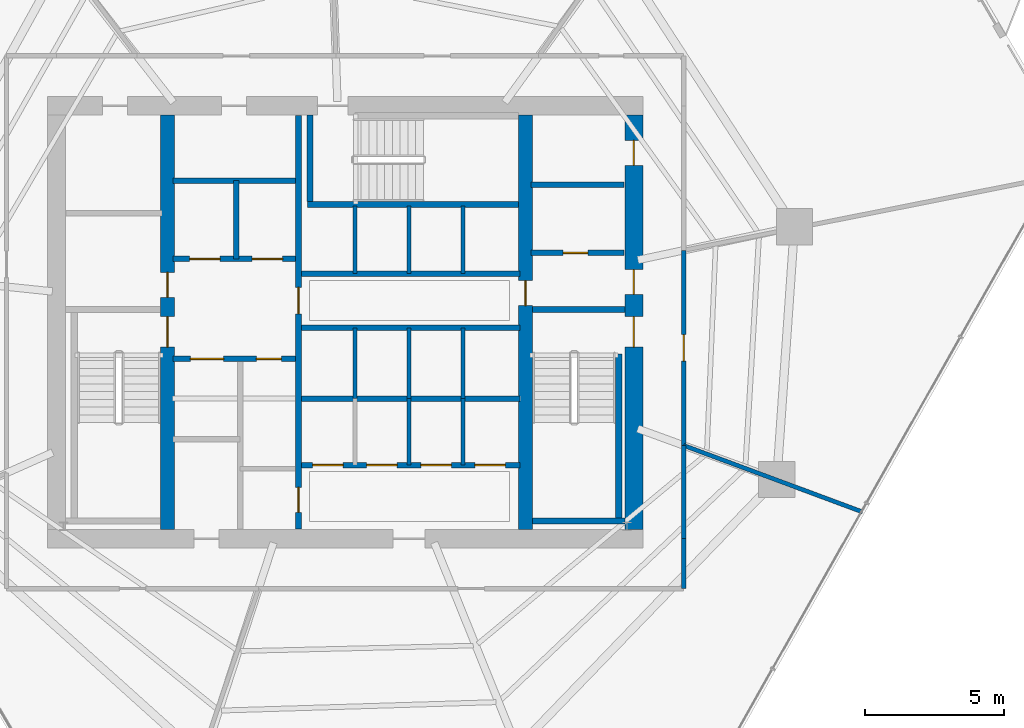
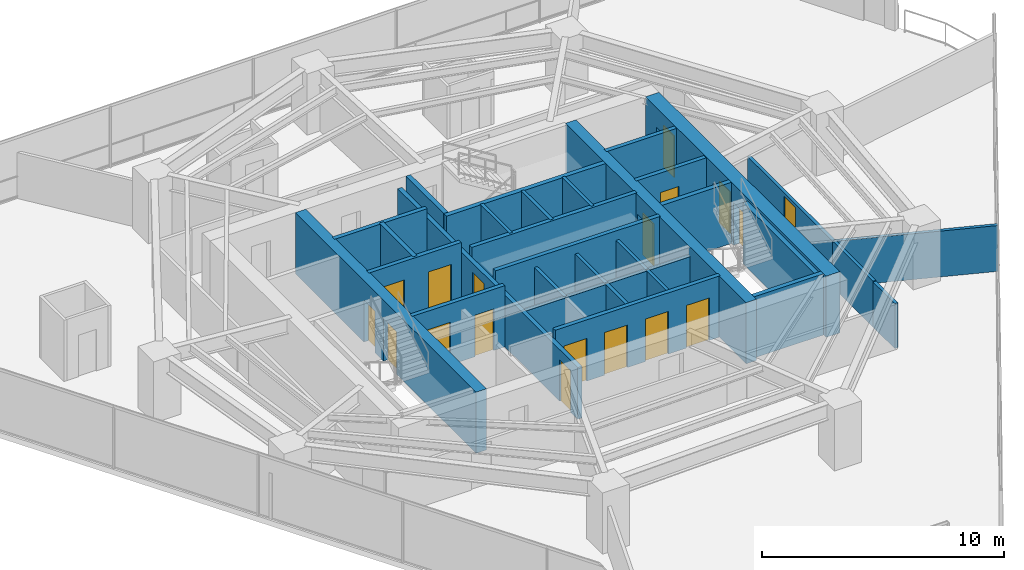
# One storey, part 25 of 31: 31 walls, 18 doors, 18 openings.
"""IFC4 building model written with IfcOpenShell, lengths in metres."""

import ifcopenshell
import ifcopenshell.guid

model = None  # the IFC model being written
_history = None  # IfcOwnerHistory: only IFC2X3 demands one
_inside = {}  # id of a spatial element -> (the spatial element, [elements in it])
_under = {}  # id of a project, library or spatial element -> (it, [spatial elements below it])
_declared = {}  # id of a project -> (the project, [libraries it declares])
_typed = {}  # id of a type object -> (the type object, [elements of that type])
_made_of = {}  # id of a material, layer set ... -> (it, [elements and type objects made of it])


def new_model(schema):
    """Start an empty IFC model of exactly this schema.

    Asked for "IFC4X3", IfcOpenShell would pick the latest addendum, in which some entities
    have other attributes; the version numbers below select the first issue.
    IFC2X3 requires an IfcOwnerHistory on every rooted entity: one is made here for all.
    """
    global model, _history
    if schema == "IFC4X3":
        model = ifcopenshell.file(schema_version=(4, 3, 0, 0))
    else:
        model = ifcopenshell.file(schema=schema)
    _inside.clear()
    _under.clear()
    _declared.clear()
    _typed.clear()
    _made_of.clear()
    _history = None
    if model.schema == "IFC2X3":
        org = make("IfcOrganization", Name="unknown")
        user = make(
            "IfcPersonAndOrganization",
            ThePerson=make("IfcPerson", FamilyName="unknown"),
            TheOrganization=org,
        )
        app = make(
            "IfcApplication",
            ApplicationDeveloper=org,
            Version="unknown",
            ApplicationFullName="unknown",
            ApplicationIdentifier="unknown",
        )
        _history = make(
            "IfcOwnerHistory",
            OwningUser=user,
            OwningApplication=app,
            ChangeAction="ADDED",
            CreationDate=0,
        )
    return model


def make(cls, **values):
    """One entity of the class cls with the attributes given. An attribute that is None is left unset."""
    return model.create_entity(
        cls, **{name: value for name, value in values.items() if value is not None}
    )


def rooted(cls, **values):
    """An entity with a GlobalId (a new one), such as an element, a storey or a relation."""
    return make(cls, GlobalId=ifcopenshell.guid.new(), OwnerHistory=_history, **values)


def si_unit(unit_type, name, prefix=None):
    """IfcSIUnit, for example si_unit("LENGTHUNIT", "METRE", prefix="MILLI")."""
    return make("IfcSIUnit", UnitType=unit_type, Prefix=prefix, Name=name)


def assignment(units):
    """IfcUnitAssignment: the units of a project."""
    return None if units is None else make("IfcUnitAssignment", Units=units)


def point(xyz):
    """IfcCartesianPoint."""
    return None if xyz is None else make("IfcCartesianPoint", Coordinates=xyz)


def direction(xyz):
    """IfcDirection."""
    return None if xyz is None else make("IfcDirection", DirectionRatios=xyz)


def frame(location, z_axis=None, x_axis=None):
    """IfcAxis2Placement3D, a coordinate frame: its origin and axes. An axis left out is left unset."""
    return make(
        "IfcAxis2Placement3D",
        Location=point(location),
        Axis=direction(z_axis),
        RefDirection=direction(x_axis),
    )


def frame_2d(location, x_axis=None):
    """IfcAxis2Placement2D, a coordinate frame in the plane: its origin and x axis."""
    return make(
        "IfcAxis2Placement2D", Location=point(location), RefDirection=direction(x_axis)
    )


def origin():
    """The frame at (0, 0, 0) with its axes left unset."""
    return frame((0.0, 0.0, 0.0))


def place(relative_to, where):
    """IfcLocalPlacement: puts the frame where relative to a parent placement (None: the world)."""
    return make(
        "IfcLocalPlacement", PlacementRelTo=relative_to, RelativePlacement=where
    )


def context(
    kind, dimensions, precision=None, world=None, true_north=None, identifier=None
):
    """IfcGeometricRepresentationContext, for example the 3D "Model" context."""
    return make(
        "IfcGeometricRepresentationContext",
        ContextIdentifier=identifier,
        ContextType=kind,
        CoordinateSpaceDimension=dimensions,
        Precision=precision,
        WorldCoordinateSystem=world,
        TrueNorth=true_north,
    )


def subcontext(parent, identifier, kind, view, scale=None):
    """IfcGeometricRepresentationSubContext, for example "Body" below "Model"."""
    return make(
        "IfcGeometricRepresentationSubContext",
        ContextIdentifier=identifier,
        ContextType=kind,
        ParentContext=parent,
        TargetScale=scale,
        TargetView=view,
    )


def project(units=None, contexts=None):
    """IfcProject with its units and contexts."""
    return rooted(
        "IfcProject",
        Name="project",
        RepresentationContexts=contexts,
        UnitsInContext=assignment(units),
    )


def spatial(cls, under=None, at=None, **own):
    """A site, building, storey or space (cls), placed at a placement, below another one or the project."""
    s = rooted(cls, ObjectPlacement=at, **own)
    if under is not None:
        _under.setdefault(under.id(), (under, []))[1].append(s)
    return s


def profile(cls, at=None, kind="AREA", **sizes):
    """A parametric profile (cls). Its sizes go by their IFC names, for example OverallWidth=200.0."""
    return make(cls, ProfileType=kind, Position=at, **sizes)


def rectangle(**sizes):
    """IfcRectangleProfileDef."""
    return profile("IfcRectangleProfileDef", **sizes)


def extrude(swept, where, along, depth):
    """IfcExtrudedAreaSolid: the profile swept, set in the frame where, extruded along a direction by depth."""
    return make(
        "IfcExtrudedAreaSolid",
        SweptArea=swept,
        Position=where,
        ExtrudedDirection=direction(along),
        Depth=depth,
    )


def shape(context_of_items, identifier, shape_type, items):
    """IfcShapeRepresentation: the items that make up one representation, for example the "Body"."""
    return make(
        "IfcShapeRepresentation",
        ContextOfItems=context_of_items,
        RepresentationIdentifier=identifier,
        RepresentationType=shape_type,
        Items=items,
    )


def material(Name=None, Category=None):
    """IfcMaterial."""
    return make("IfcMaterial", Name=Name, Category=Category)


def layer(
    of_material, thickness, ventilated=None, Name=None, Category=None, Priority=None
):
    """IfcMaterialLayer: one layer of a wall or slab, of a material (None: an air gap)."""
    return make(
        "IfcMaterialLayer",
        Material=of_material,
        LayerThickness=thickness,
        IsVentilated=ventilated,
        Name=Name,
        Category=Category,
        Priority=Priority,
    )


def layer_set(layers, Name=None):
    """IfcMaterialLayerSet."""
    return make("IfcMaterialLayerSet", MaterialLayers=layers, LayerSetName=Name)


def made_of(thing, what):
    """Note that an element or type object is made of a material, layer set ...; save() writes the relation."""
    if what is not None:
        _made_of.setdefault(what.id(), (what, []))[1].append(thing)
    return thing


def type_object(cls, material=None, **own):
    """A type object (cls), such as IfcWallType, which elements share."""
    return made_of(rooted(cls, **own), material)


def element(
    cls,
    number,
    at=None,
    inside=None,
    cuts=None,
    type_object=None,
    material=None,
    context=None,
    identifier="Body",
    shape_type=None,
    held_by="IfcProductDefinitionShape",
    body=None,
    shapes=None,
    **own,
):
    """One element of the class cls, such as IfcWall. Its Tag is "e" and its number.

    at: its placement. inside: the storey or other place that contains it. cuts: it is an
    opening in that element (IfcRelVoidsElement). A single representation is given by context,
    identifier, shape_type and body (its items); several are given by shapes. held_by: the class
    of the entity that holds the representations. save() writes the other relations.
    """
    e = rooted(cls, Tag="e%d" % number, ObjectPlacement=at, **own)
    if body is not None:
        shapes = [shape(context, identifier, shape_type, body)]
    if shapes is not None:
        e.Representation = make(held_by, Representations=shapes)
    if inside is not None:
        _inside.setdefault(inside.id(), (inside, []))[1].append(e)
    if cuts is not None:
        rooted(
            "IfcRelVoidsElement", RelatingBuildingElement=cuts, RelatedOpeningElement=e
        )
    if type_object is not None:
        _typed.setdefault(type_object.id(), (type_object, []))[1].append(e)
    return made_of(e, material)


def fill(opening, filler):
    """IfcRelFillsElement: the door or window that sits in an opening."""
    return rooted(
        "IfcRelFillsElement",
        RelatingOpeningElement=opening,
        RelatedBuildingElement=filler,
    )


def aggregate(whole, parts):
    """IfcRelAggregates: a whole, such as a stair, and the parts it consists of."""
    return rooted("IfcRelAggregates", RelatingObject=whole, RelatedObjects=parts)


def save(model, path):
    """Write the relations noted so far, then the file.

    IfcRelAggregates (storeys below a building ...), IfcRelContainedInSpatialStructure (elements
    in a storey), IfcRelDefinesByType, IfcRelAssociatesMaterial and IfcRelDeclares: one each for
    every whole, place, type object, material and project.
    """
    for whole, parts in _under.values():
        aggregate(whole, parts)
    for where, things in _inside.values():
        rooted(
            "IfcRelContainedInSpatialStructure",
            RelatedElements=things,
            RelatingStructure=where,
        )
    for kind, things in _typed.values():
        rooted("IfcRelDefinesByType", RelatedObjects=things, RelatingType=kind)
    for what, things in _made_of.values():
        rooted("IfcRelAssociatesMaterial", RelatedObjects=things, RelatingMaterial=what)
    for by, libraries in _declared.values():
        rooted("IfcRelDeclares", RelatingContext=by, RelatedDefinitions=libraries)
    model.write(path)


model = new_model("IFC4")

# Units and contexts
model_context = context("Model", 3, precision=1e-05, world=origin(), true_north=direction((0.0, 1.0)))
body_context = subcontext(model_context, "Body", "Model", "MODEL_VIEW")
ifc_project = project(units=[si_unit("LENGTHUNIT", "METRE"), si_unit("AREAUNIT", "SQUARE_METRE"), si_unit("VOLUMEUNIT", "CUBIC_METRE"), si_unit("PLANEANGLEUNIT", "RADIAN"), si_unit("MASSUNIT", "GRAM", prefix="KILO")], contexts=[model_context])

# Site, building, storey
site_placement = place(None, origin())
site = spatial("IfcSite", under=ifc_project, at=site_placement, CompositionType="ELEMENT")
building_placement = place(site_placement, origin())
building = spatial("IfcBuilding", under=site, at=building_placement, Name="Qarnah Convention Tower", CompositionType="ELEMENT")
storey_placement = place(building_placement, frame((0.0, 0.0, 68.39990234375)))
storey = spatial("IfcBuildingStorey", under=building, at=storey_placement, Name="L17", CompositionType="ELEMENT", Elevation=68.39990234375)

# Wall, openings, doors
ifc_material_1 = material(Name="Concrete C60/75", Category="concrete")
ifc_layer_1 = layer(ifc_material_1, 0.64990234375)
ifc_layer_set_1 = layer_set([ifc_layer_1], Name="Concrete C60/75")
wall_type_1 = type_object("IfcWallType", Name="WL-CORE-650", PredefinedType="SHEAR", material=ifc_layer_set_1)
wall_1_placement = place(storey_placement, frame((47.60009765625, 18.925048828125, 0.0), z_axis=(0.0, 0.0, 1.0), x_axis=(0.0, 1.0, 0.0)))
wall_1 = element("IfcWall", 1, at=wall_1_placement, inside=storey, type_object=wall_type_1, Name="L17 core east shear wall", PredefinedType="SHEAR", context=body_context, shape_type="SweptSolid", body=[
    extrude(rectangle(XDim=14.949951171875, YDim=0.64990234375, at=frame_2d((7.47509765625, 0.0))), origin(), (0.0, 0.0, 1.0), 3.090087890625),
])
opening_1_placement = place(wall_1_placement, frame((6.574951171875, 0.0, 0.0)))
opening_1 = element("IfcOpeningElement", 2, at=opening_1_placement, cuts=wall_1, Name="Opening D-1702", PredefinedType="OPENING", context=body_context, shape_type="SweptSolid", body=[
    extrude(rectangle(XDim=1.10009765625, YDim=2.14990234375, at=frame_2d((0.550048828125, 1.074951171875))), frame((0.0, 0.3349609375, 0.0), z_axis=(0.0, -1.0, 0.0), x_axis=(1.0, 0.0, 0.0)), (0.0, 0.0, 1.0), 0.669921875),
])
opening_2_placement = place(wall_1_placement, frame((8.47509765625, 0.0, 0.0)))
opening_2 = element("IfcOpeningElement", 3, at=opening_2_placement, cuts=wall_1, Name="Opening D-1706", PredefinedType="OPENING", context=body_context, shape_type="SweptSolid", body=[
    extrude(rectangle(XDim=0.89990234375, YDim=2.10009765625, at=frame_2d((0.449951171875, 1.050048828125))), frame((0.0, 0.3349609375, 0.0), z_axis=(0.0, -1.0, 0.0), x_axis=(1.0, 0.0, 0.0)), (0.0, 0.0, 1.0), 0.669921875),
])
opening_3_placement = place(wall_1_placement, frame((13.125, 0.0, 0.0)))
opening_3 = element("IfcOpeningElement", 4, at=opening_3_placement, cuts=wall_1, Name="Opening D-1712", PredefinedType="OPENING", context=body_context, shape_type="SweptSolid", body=[
    extrude(rectangle(XDim=0.89990234375, YDim=2.10009765625, at=frame_2d((0.449951171875, 1.050048828125))), frame((0.0, 0.3349609375, 0.0), z_axis=(0.0, -1.0, 0.0), x_axis=(1.0, 0.0, 0.0)), (0.0, 0.0, 1.0), 0.669921875),
])
ifc_material_2 = material(Name="Structural steel S355JR", Category="steel")
door_type_1 = type_object("IfcDoorType", Name="DT-RISER-900", OperationType="NOTDEFINED", PredefinedType="DOOR", material=ifc_material_2)
door_1_placement = place(opening_2_placement, origin())
door_1 = element("IfcDoor", 5, at=door_1_placement, inside=storey, type_object=door_type_1, Name="Door D-1706", OperationType="SINGLE_SWING_RIGHT", OverallHeight=2.10009765625, OverallWidth=0.89990234375, PredefinedType="DOOR", context=body_context, shape_type="SweptSolid", body=[
    extrude(rectangle(XDim=0.89990234375, YDim=2.10009765625, at=frame_2d((0.449951171875, 1.050048828125))), frame((0.0, 0.02490234375, 0.0), z_axis=(0.0, -1.0, 0.0), x_axis=(1.0, 0.0, 0.0)), (0.0, 0.0, 1.0), 0.050048828125),
])
fill(opening_2, door_1)
door_2_placement = place(opening_3_placement, origin())
door_2 = element("IfcDoor", 6, at=door_2_placement, inside=storey, type_object=door_type_1, Name="Door D-1712", OperationType="SINGLE_SWING_RIGHT", OverallHeight=2.10009765625, OverallWidth=0.89990234375, PredefinedType="DOOR", context=body_context, shape_type="SweptSolid", body=[
    extrude(rectangle(XDim=0.89990234375, YDim=2.10009765625, at=frame_2d((0.449951171875, 1.050048828125))), frame((0.0, 0.02490234375, 0.0), z_axis=(0.0, -1.0, 0.0), x_axis=(1.0, 0.0, 0.0)), (0.0, 0.0, 1.0), 0.050048828125),
])
fill(opening_3, door_2)
door_type_2 = type_object("IfcDoorType", Name="DT-STAIR-1100", OperationType="NOTDEFINED", PredefinedType="DOOR", material=ifc_material_2)
door_3_placement = place(opening_1_placement, origin())
door_3 = element("IfcDoor", 7, at=door_3_placement, inside=storey, type_object=door_type_2, Name="Door D-1702", OperationType="SINGLE_SWING_RIGHT", OverallHeight=2.14990234375, OverallWidth=1.10009765625, PredefinedType="DOOR", context=body_context, shape_type="SweptSolid", body=[
    extrude(rectangle(XDim=1.10009765625, YDim=2.14990234375, at=frame_2d((0.550048828125, 1.074951171875))), frame((0.0, 0.02490234375, 0.0), z_axis=(0.0, -1.0, 0.0), x_axis=(1.0, 0.0, 0.0)), (0.0, 0.0, 1.0), 0.050048828125),
])
fill(opening_1, door_3)

ifc_layer_2 = layer(ifc_material_1, 0.5)
ifc_layer_set_2 = layer_set([ifc_layer_2], Name="Concrete C60/75")
wall_type_2 = type_object("IfcWallType", Name="WL-CORE-INT-400", PredefinedType="SHEAR", material=ifc_layer_set_2)
wall_2_placement = place(storey_placement, frame((30.800048828125, 18.925048828125, 0.0), z_axis=(0.0, 0.0, 1.0), x_axis=(0.0, 1.0, 0.0)))
wall_2 = element("IfcWall", 8, at=wall_2_placement, inside=storey, type_object=wall_type_2, Name="L17 core west spine shear wall", PredefinedType="SHEAR", context=body_context, shape_type="SweptSolid", body=[
    extrude(rectangle(XDim=14.949951171875, YDim=0.5, at=frame_2d((7.47509765625, 0.0))), origin(), (0.0, 0.0, 1.0), 3.090087890625),
])
opening_4_placement = place(wall_2_placement, frame((6.574951171875, 0.0, 0.0)))
opening_4 = element("IfcOpeningElement", 9, at=opening_4_placement, cuts=wall_2, Name="Opening D-1701", PredefinedType="OPENING", context=body_context, shape_type="SweptSolid", body=[
    extrude(rectangle(XDim=1.10009765625, YDim=2.14990234375, at=frame_2d((0.550048828125, 1.074951171875))), frame((0.0, 0.260009765625, 0.0), z_axis=(0.0, -1.0, 0.0), x_axis=(1.0, 0.0, 0.0)), (0.0, 0.0, 1.0), 0.52001953125),
])
opening_5_placement = place(wall_2_placement, frame((8.375, 0.0, 0.0)))
opening_5 = element("IfcOpeningElement", 10, at=opening_5_placement, cuts=wall_2, Name="Opening D-1708", PredefinedType="OPENING", context=body_context, shape_type="SweptSolid", body=[
    extrude(rectangle(XDim=0.89990234375, YDim=2.10009765625, at=frame_2d((0.449951171875, 1.050048828125))), frame((0.0, 0.260009765625, 0.0), z_axis=(0.0, -1.0, 0.0), x_axis=(1.0, 0.0, 0.0)), (0.0, 0.0, 1.0), 0.52001953125),
])
door_4_placement = place(opening_5_placement, origin())
door_4 = element("IfcDoor", 11, at=door_4_placement, inside=storey, type_object=door_type_1, Name="Door D-1708", OperationType="SINGLE_SWING_RIGHT", OverallHeight=2.10009765625, OverallWidth=0.89990234375, PredefinedType="DOOR", context=body_context, shape_type="SweptSolid", body=[
    extrude(rectangle(XDim=0.89990234375, YDim=2.10009765625, at=frame_2d((0.449951171875, 1.050048828125))), frame((0.0, 0.02490234375, 0.0), z_axis=(0.0, -1.0, 0.0), x_axis=(1.0, 0.0, 0.0)), (0.0, 0.0, 1.0), 0.050048828125),
])
fill(opening_5, door_4)
door_5_placement = place(opening_4_placement, origin())
door_5 = element("IfcDoor", 12, at=door_5_placement, inside=storey, type_object=door_type_2, Name="Door D-1701", OperationType="SINGLE_SWING_LEFT", OverallHeight=2.14990234375, OverallWidth=1.10009765625, PredefinedType="DOOR", context=body_context, shape_type="SweptSolid", body=[
    extrude(rectangle(XDim=1.10009765625, YDim=2.14990234375, at=frame_2d((0.550048828125, 1.074951171875))), frame((0.0, 0.02490234375, 0.0), z_axis=(0.0, -1.0, 0.0), x_axis=(1.0, 0.0, 0.0)), (0.0, 0.0, 1.0), 0.050048828125),
])
fill(opening_4, door_5)

# Wall, opening, door
wall_3_placement = place(storey_placement, frame((43.699951171875, 18.925048828125, 0.0), z_axis=(0.0, 0.0, 1.0), x_axis=(0.0, 1.0, 0.0)))
wall_3 = element("IfcWall", 13, at=wall_3_placement, inside=storey, type_object=wall_type_2, Name="L17 core east spine shear wall", PredefinedType="SHEAR", context=body_context, shape_type="SweptSolid", body=[
    extrude(rectangle(XDim=14.949951171875, YDim=0.5, at=frame_2d((7.47509765625, 0.0))), origin(), (0.0, 0.0, 1.0), 3.090087890625),
])
opening_6_placement = place(wall_3_placement, frame((8.074951171875, 0.0, 0.0)))
opening_6 = element("IfcOpeningElement", 14, at=opening_6_placement, cuts=wall_3, Name="Opening D-1705", PredefinedType="OPENING", context=body_context, shape_type="SweptSolid", body=[
    extrude(rectangle(XDim=0.89990234375, YDim=2.10009765625, at=frame_2d((0.449951171875, 1.050048828125))), frame((0.0, 0.260009765625, 0.0), z_axis=(0.0, -1.0, 0.0), x_axis=(1.0, 0.0, 0.0)), (0.0, 0.0, 1.0), 0.52001953125),
])
door_6_placement = place(opening_6_placement, origin())
door_6 = element("IfcDoor", 15, at=door_6_placement, inside=storey, type_object=door_type_1, Name="Door D-1705", OperationType="SINGLE_SWING_LEFT", OverallHeight=2.10009765625, OverallWidth=0.89990234375, PredefinedType="DOOR", context=body_context, shape_type="SweptSolid", body=[
    extrude(rectangle(XDim=0.89990234375, YDim=2.10009765625, at=frame_2d((0.449951171875, 1.050048828125))), frame((0.0, 0.02490234375, 0.0), z_axis=(0.0, -1.0, 0.0), x_axis=(1.0, 0.0, 0.0)), (0.0, 0.0, 1.0), 0.050048828125),
])
fill(opening_6, door_6)

ifc_material_3 = material(Name="Concrete C45/55", Category="concrete")
ifc_layer_3 = layer(ifc_material_3, 0.199951171875)
ifc_layer_set_3 = layer_set([ifc_layer_3], Name="Concrete C45/55")
wall_type_3 = type_object("IfcWallType", Name="WL-CORE-PART-200", PredefinedType="SOLIDWALL", material=ifc_layer_set_3)
wall_4_placement = place(storey_placement, frame((43.89990234375, 28.89990234375, 0.0), z_axis=(0.0, 0.0, 1.0), x_axis=(1.0, 0.0, 0.0)))
wall_4 = element("IfcWall", 16, at=wall_4_placement, inside=storey, type_object=wall_type_3, Name="L17 interior wall IW-L17-EVSTN", PredefinedType="SOLIDWALL", context=body_context, shape_type="SweptSolid", body=[
    extrude(rectangle(XDim=3.35009765625, YDim=0.199951171875, at=frame_2d((1.675048828125, 0.0))), origin(), (0.0, 0.0, 1.0), 3.090087890625),
])
opening_7_placement = place(wall_4_placement, frame((1.14990234375, 0.0, 0.0)))
opening_7 = element("IfcOpeningElement", 17, at=opening_7_placement, cuts=wall_4, Name="Opening D-1711", PredefinedType="OPENING", context=body_context, shape_type="SweptSolid", body=[
    extrude(rectangle(XDim=0.89990234375, YDim=2.10009765625, at=frame_2d((0.449951171875, 1.050048828125))), frame((0.0, 0.10986328125, 0.0), z_axis=(0.0, -1.0, 0.0), x_axis=(1.0, 0.0, 0.0)), (0.0, 0.0, 1.0), 0.219970703125),
])
door_7_placement = place(opening_7_placement, origin())
door_7 = element("IfcDoor", 18, at=door_7_placement, inside=storey, type_object=door_type_1, Name="Door D-1711", OperationType="SINGLE_SWING_LEFT", OverallHeight=2.10009765625, OverallWidth=0.89990234375, PredefinedType="DOOR", context=body_context, shape_type="SweptSolid", body=[
    extrude(rectangle(XDim=0.89990234375, YDim=2.10009765625, at=frame_2d((0.449951171875, 1.050048828125))), frame((0.0, 0.02490234375, 0.0), z_axis=(0.0, -1.0, 0.0), x_axis=(1.0, 0.0, 0.0)), (0.0, 0.0, 1.0), 0.050048828125),
])
fill(opening_7, door_7)

# Wall
wall_5_placement = place(storey_placement, frame((43.89990234375, 31.35009765625, 0.0), z_axis=(0.0, 0.0, 1.0), x_axis=(1.0, 0.0, 0.0)))
element("IfcWall", 19, at=wall_5_placement, inside=storey, type_object=wall_type_3, Name="L17 interior wall IW-L17-WTRN", PredefinedType="SOLIDWALL", context=body_context, shape_type="SweptSolid", body=[
    extrude(rectangle(XDim=3.35009765625, YDim=0.199951171875, at=frame_2d((1.675048828125, 0.0))), origin(), (0.0, 0.0, 1.0), 3.090087890625),
])

# Wall, openings, doors
wall_6_placement = place(storey_placement, frame((35.52001953125, 18.949951171875, 0.0), z_axis=(0.0, 0.0, 1.0), x_axis=(0.0, 1.0, 0.0)))
wall_6 = element("IfcWall", 20, at=wall_6_placement, inside=storey, type_object=wall_type_3, Name="L17 interior wall IW-L17-CSP", PredefinedType="SOLIDWALL", context=body_context, shape_type="SweptSolid", body=[
    extrude(rectangle(XDim=14.900146484375, YDim=0.199951171875, at=frame_2d((7.4501953125, 0.0))), origin(), (0.0, 0.0, 1.0), 2.611083984375),
])
opening_8_placement = place(wall_6_placement, frame((7.7548828125, 0.0, 0.0)))
opening_8 = element("IfcOpeningElement", 21, at=opening_8_placement, cuts=wall_6, Name="Opening D-1704", PredefinedType="OPENING", context=body_context, shape_type="SweptSolid", body=[
    extrude(rectangle(XDim=0.949951171875, YDim=2.14990234375, at=frame_2d((0.47509765625, 1.074951171875))), frame((0.0, 0.10986328125, 0.0), z_axis=(0.0, -1.0, 0.0), x_axis=(1.0, 0.0, 0.0)), (0.0, 0.0, 1.0), 0.219970703125),
])
opening_9_placement = place(wall_6_placement, frame((0.60009765625, 0.0, 0.0)))
opening_9 = element("IfcOpeningElement", 22, at=opening_9_placement, cuts=wall_6, Name="Opening D-1714", PredefinedType="OPENING", context=body_context, shape_type="SweptSolid", body=[
    extrude(rectangle(XDim=0.89990234375, YDim=2.10009765625, at=frame_2d((0.449951171875, 1.050048828125))), frame((0.0, 0.10986328125, 0.0), z_axis=(0.0, -1.0, 0.0), x_axis=(1.0, 0.0, 0.0)), (0.0, 0.0, 1.0), 0.219970703125),
])
ifc_material_4 = material(Name="Oak timber veneer", Category="wood")
door_type_3 = type_object("IfcDoorType", Name="DT-HOTEL-950", OperationType="NOTDEFINED", PredefinedType="DOOR", material=ifc_material_4)
door_8_placement = place(opening_8_placement, origin())
door_8 = element("IfcDoor", 23, at=door_8_placement, inside=storey, type_object=door_type_3, Name="Door D-1704", OperationType="SINGLE_SWING_RIGHT", OverallHeight=2.14990234375, OverallWidth=0.949951171875, PredefinedType="DOOR", context=body_context, shape_type="SweptSolid", body=[
    extrude(rectangle(XDim=0.949951171875, YDim=2.14990234375, at=frame_2d((0.47509765625, 1.074951171875))), frame((0.0, 0.02490234375, 0.0), z_axis=(0.0, -1.0, 0.0), x_axis=(1.0, 0.0, 0.0)), (0.0, 0.0, 1.0), 0.050048828125),
])
fill(opening_8, door_8)
door_9_placement = place(opening_9_placement, origin())
door_9 = element("IfcDoor", 24, at=door_9_placement, inside=storey, type_object=door_type_1, Name="Door D-1714", OperationType="SINGLE_SWING_RIGHT", OverallHeight=2.10009765625, OverallWidth=0.89990234375, PredefinedType="DOOR", context=body_context, shape_type="SweptSolid", body=[
    extrude(rectangle(XDim=0.89990234375, YDim=2.10009765625, at=frame_2d((0.449951171875, 1.050048828125))), frame((0.0, 0.02490234375, 0.0), z_axis=(0.0, -1.0, 0.0), x_axis=(1.0, 0.0, 0.0)), (0.0, 0.0, 1.0), 0.050048828125),
])
fill(opening_9, door_9)

wall_7_placement = place(storey_placement, frame((31.0, 28.679931640625, 0.0), z_axis=(0.0, 0.0, 1.0), x_axis=(1.0, 0.0, 0.0)))
wall_7 = element("IfcWall", 25, at=wall_7_placement, inside=storey, type_object=wall_type_3, Name="L17 interior wall IW-L17-FFLS", PredefinedType="SOLIDWALL", context=body_context, shape_type="SweptSolid", body=[
    extrude(rectangle(XDim=4.419921875, YDim=0.199951171875, at=frame_2d((2.2099609375, 0.0))), origin(), (0.0, 0.0, 1.0), 3.090087890625),
])
opening_10_placement = place(wall_7_placement, frame((0.60009765625, 0.0, 0.0)))
opening_10 = element("IfcOpeningElement", 26, at=opening_10_placement, cuts=wall_7, Name="Opening LD-1701", PredefinedType="OPENING", context=body_context, shape_type="SweptSolid", body=[
    extrude(rectangle(XDim=1.10009765625, YDim=2.14990234375, at=frame_2d((0.550048828125, 1.074951171875))), frame((0.0, 0.10986328125, 0.0), z_axis=(0.0, -1.0, 0.0), x_axis=(1.0, 0.0, 0.0)), (0.0, 0.0, 1.0), 0.219970703125),
])
opening_11_placement = place(wall_7_placement, frame((2.85009765625, 0.0, 0.0)))
opening_11 = element("IfcOpeningElement", 27, at=opening_11_placement, cuts=wall_7, Name="Opening LD-1702", PredefinedType="OPENING", context=body_context, shape_type="SweptSolid", body=[
    extrude(rectangle(XDim=1.10009765625, YDim=2.14990234375, at=frame_2d((0.550048828125, 1.074951171875))), frame((0.0, 0.10986328125, 0.0), z_axis=(0.0, -1.0, 0.0), x_axis=(1.0, 0.0, 0.0)), (0.0, 0.0, 1.0), 0.219970703125),
])
door_type_4 = type_object("IfcDoorType", Name="DT-LIFT-1100", OperationType="SLIDING_TO_LEFT", PredefinedType="DOOR", material=ifc_material_2)
door_10_placement = place(opening_10_placement, origin())
door_10 = element("IfcDoor", 28, at=door_10_placement, inside=storey, type_object=door_type_4, Name="Door LD-1701", OperationType="SLIDING_TO_LEFT", OverallHeight=2.14990234375, OverallWidth=1.10009765625, PredefinedType="DOOR", context=body_context, shape_type="SweptSolid", body=[
    extrude(rectangle(XDim=1.10009765625, YDim=2.14990234375, at=frame_2d((0.550048828125, 1.074951171875))), frame((0.0, 0.02490234375, 0.0), z_axis=(0.0, -1.0, 0.0), x_axis=(1.0, 0.0, 0.0)), (0.0, 0.0, 1.0), 0.050048828125),
])
fill(opening_10, door_10)
door_11_placement = place(opening_11_placement, origin())
door_11 = element("IfcDoor", 29, at=door_11_placement, inside=storey, type_object=door_type_4, Name="Door LD-1702", OperationType="SLIDING_TO_LEFT", OverallHeight=2.14990234375, OverallWidth=1.10009765625, PredefinedType="DOOR", context=body_context, shape_type="SweptSolid", body=[
    extrude(rectangle(XDim=1.10009765625, YDim=2.14990234375, at=frame_2d((0.550048828125, 1.074951171875))), frame((0.0, 0.02490234375, 0.0), z_axis=(0.0, -1.0, 0.0), x_axis=(1.0, 0.0, 0.0)), (0.0, 0.0, 1.0), 0.050048828125),
])
fill(opening_11, door_11)

# Walls
wall_8_placement = place(storey_placement, frame((31.0, 31.5, 0.0), z_axis=(0.0, 0.0, 1.0), x_axis=(1.0, 0.0, 0.0)))
element("IfcWall", 30, at=wall_8_placement, inside=storey, type_object=wall_type_3, Name="L17 interior wall IW-L17-FFLN", PredefinedType="SOLIDWALL", context=body_context, shape_type="SweptSolid", body=[
    extrude(rectangle(XDim=4.419921875, YDim=0.199951171875, at=frame_2d((2.2099609375, 0.0))), origin(), (0.0, 0.0, 1.0), 3.090087890625),
])
wall_9_placement = place(storey_placement, frame((33.280029296875, 28.679931640625, 0.0), z_axis=(0.0, 0.0, 1.0), x_axis=(0.0, 1.0, 0.0)))
element("IfcWall", 31, at=wall_9_placement, inside=storey, type_object=wall_type_3, Name="L17 interior wall IW-L17-FFLM", PredefinedType="SOLIDWALL", context=body_context, shape_type="SweptSolid", body=[
    extrude(rectangle(XDim=2.820068359375, YDim=0.199951171875, at=frame_2d((1.41015625, 0.0))), origin(), (0.0, 0.0, 1.0), 3.090087890625),
])

# Wall, openings, doors
wall_10_placement = place(storey_placement, frame((31.0, 25.080078125, 0.0), z_axis=(0.0, 0.0, 1.0), x_axis=(1.0, 0.0, 0.0)))
wall_10 = element("IfcWall", 32, at=wall_10_placement, inside=storey, type_object=wall_type_3, Name="L17 interior wall IW-L17-FFLBS", PredefinedType="SOLIDWALL", context=body_context, shape_type="SweptSolid", body=[
    extrude(rectangle(XDim=4.419921875, YDim=0.199951171875, at=frame_2d((2.2099609375, 0.0))), origin(), (0.0, 0.0, 1.0), 3.090087890625),
])
opening_12_placement = place(wall_10_placement, frame((3.0, 0.0, 0.0)))
opening_12 = element("IfcOpeningElement", 33, at=opening_12_placement, cuts=wall_10, Name="Opening D-1715", PredefinedType="OPENING", context=body_context, shape_type="SweptSolid", body=[
    extrude(rectangle(XDim=0.89990234375, YDim=2.10009765625, at=frame_2d((0.449951171875, 1.050048828125))), frame((0.0, 0.10986328125, 0.0), z_axis=(0.0, -1.0, 0.0), x_axis=(1.0, 0.0, 0.0)), (0.0, 0.0, 1.0), 0.219970703125),
])
opening_13_placement = place(wall_10_placement, frame((0.6201171875, 0.0, 0.0)))
opening_13 = element("IfcOpeningElement", 34, at=opening_13_placement, cuts=wall_10, Name="Opening LD-1703", PredefinedType="OPENING", context=body_context, shape_type="SweptSolid", body=[
    extrude(rectangle(XDim=1.199951171875, YDim=2.14990234375, at=frame_2d((0.60009765625, 1.074951171875))), frame((0.0, 0.10986328125, 0.0), z_axis=(0.0, -1.0, 0.0), x_axis=(1.0, 0.0, 0.0)), (0.0, 0.0, 1.0), 0.219970703125),
])
door_type_5 = type_object("IfcDoorType", Name="DT-LIFT-1200", OperationType="SLIDING_TO_LEFT", PredefinedType="DOOR", material=ifc_material_2)
door_12_placement = place(opening_13_placement, origin())
door_12 = element("IfcDoor", 35, at=door_12_placement, inside=storey, type_object=door_type_5, Name="Door LD-1703", OperationType="SLIDING_TO_LEFT", OverallHeight=2.14990234375, OverallWidth=1.199951171875, PredefinedType="DOOR", context=body_context, shape_type="SweptSolid", body=[
    extrude(rectangle(XDim=1.199951171875, YDim=2.14990234375, at=frame_2d((0.60009765625, 1.074951171875))), frame((0.0, 0.02490234375, 0.0), z_axis=(0.0, -1.0, 0.0), x_axis=(1.0, 0.0, 0.0)), (0.0, 0.0, 1.0), 0.050048828125),
])
fill(opening_13, door_12)
door_13_placement = place(opening_12_placement, origin())
door_13 = element("IfcDoor", 36, at=door_13_placement, inside=storey, type_object=door_type_1, Name="Door D-1715", OperationType="SINGLE_SWING_LEFT", OverallHeight=2.10009765625, OverallWidth=0.89990234375, PredefinedType="DOOR", context=body_context, shape_type="SweptSolid", body=[
    extrude(rectangle(XDim=0.89990234375, YDim=2.10009765625, at=frame_2d((0.449951171875, 1.050048828125))), frame((0.0, 0.02490234375, 0.0), z_axis=(0.0, -1.0, 0.0), x_axis=(1.0, 0.0, 0.0)), (0.0, 0.0, 1.0), 0.050048828125),
])
fill(opening_12, door_13)

# Walls
for number, where, z_axis, x_axis, name in (
    (37, (35.6201171875, 28.14990234375, 0.0), (0.0, 0.0, 1.0), (1.0, 0.0, 0.0), "L17 interior wall IW-L17-PHS"),
    (38, (35.6201171875, 26.199951171875, 0.0), (0.0, 0.0, 1.0), (1.0, 0.0, 0.0), "L17 interior wall IW-L17-PMN"),
):
    element("IfcWall", number, at=place(storey_placement, frame(where, z_axis=z_axis, x_axis=x_axis)), inside=storey, type_object=wall_type_3, Name=name, PredefinedType="SOLIDWALL", context=body_context, shape_type="SweptSolid", body=[
        extrude(rectangle(XDim=7.8798828125, YDim=0.199951171875, at=frame_2d((3.93994140625, 0.0))), origin(), (0.0, 0.0, 1.0), 3.090087890625),
    ])
wall_11_placement = place(storey_placement, frame((35.6201171875, 23.64990234375, 0.0), z_axis=(0.0, 0.0, 1.0), x_axis=(1.0, 0.0, 0.0)))
element("IfcWall", 39, at=wall_11_placement, inside=storey, type_object=wall_type_3, Name="L17 interior wall IW-L17-PMPL", PredefinedType="SOLIDWALL", context=body_context, shape_type="SweptSolid", body=[
    extrude(rectangle(XDim=7.8798828125, YDim=0.199951171875, at=frame_2d((3.93994140625, 0.0))), origin(), (0.0, 0.0, 1.0), 2.611083984375),
])

# Wall, openings, doors
wall_12_placement = place(storey_placement, frame((35.6201171875, 21.25, 0.0), z_axis=(0.0, 0.0, 1.0), x_axis=(1.0, 0.0, 0.0)))
wall_12 = element("IfcWall", 40, at=wall_12_placement, inside=storey, type_object=wall_type_3, Name="L17 interior wall IW-L17-PLS", PredefinedType="SOLIDWALL", context=body_context, shape_type="SweptSolid", body=[
    extrude(rectangle(XDim=7.8798828125, YDim=0.199951171875, at=frame_2d((3.93994140625, 0.0))), origin(), (0.0, 0.0, 1.0), 3.090087890625),
])
opening_14_placement = place(wall_12_placement, frame((0.405029296875, 0.0, 0.0)))
opening_14 = element("IfcOpeningElement", 41, at=opening_14_placement, cuts=wall_12, Name="Opening LD-1704", PredefinedType="OPENING", context=body_context, shape_type="SweptSolid", body=[
    extrude(rectangle(XDim=1.10009765625, YDim=2.14990234375, at=frame_2d((0.550048828125, 1.074951171875))), frame((0.0, 0.10986328125, 0.0), z_axis=(0.0, -1.0, 0.0), x_axis=(1.0, 0.0, 0.0)), (0.0, 0.0, 1.0), 0.219970703125),
])
opening_15_placement = place(wall_12_placement, frame((2.35498046875, 0.0, 0.0)))
opening_15 = element("IfcOpeningElement", 42, at=opening_15_placement, cuts=wall_12, Name="Opening LD-1705", PredefinedType="OPENING", context=body_context, shape_type="SweptSolid", body=[
    extrude(rectangle(XDim=1.10009765625, YDim=2.14990234375, at=frame_2d((0.550048828125, 1.074951171875))), frame((0.0, 0.10986328125, 0.0), z_axis=(0.0, -1.0, 0.0), x_axis=(1.0, 0.0, 0.0)), (0.0, 0.0, 1.0), 0.219970703125),
])
opening_16_placement = place(wall_12_placement, frame((4.304931640625, 0.0, 0.0)))
opening_16 = element("IfcOpeningElement", 43, at=opening_16_placement, cuts=wall_12, Name="Opening LD-1706", PredefinedType="OPENING", context=body_context, shape_type="SweptSolid", body=[
    extrude(rectangle(XDim=1.10009765625, YDim=2.14990234375, at=frame_2d((0.550048828125, 1.074951171875))), frame((0.0, 0.10986328125, 0.0), z_axis=(0.0, -1.0, 0.0), x_axis=(1.0, 0.0, 0.0)), (0.0, 0.0, 1.0), 0.219970703125),
])
opening_17_placement = place(wall_12_placement, frame((6.2548828125, 0.0, 0.0)))
opening_17 = element("IfcOpeningElement", 44, at=opening_17_placement, cuts=wall_12, Name="Opening LD-1707", PredefinedType="OPENING", context=body_context, shape_type="SweptSolid", body=[
    extrude(rectangle(XDim=1.10009765625, YDim=2.14990234375, at=frame_2d((0.550048828125, 1.074951171875))), frame((0.0, 0.10986328125, 0.0), z_axis=(0.0, -1.0, 0.0), x_axis=(1.0, 0.0, 0.0)), (0.0, 0.0, 1.0), 0.219970703125),
])
door_14_placement = place(opening_14_placement, origin())
door_14 = element("IfcDoor", 45, at=door_14_placement, inside=storey, type_object=door_type_4, Name="Door LD-1704", OperationType="SLIDING_TO_LEFT", OverallHeight=2.14990234375, OverallWidth=1.10009765625, PredefinedType="DOOR", context=body_context, shape_type="SweptSolid", body=[
    extrude(rectangle(XDim=1.10009765625, YDim=2.14990234375, at=frame_2d((0.550048828125, 1.074951171875))), frame((0.0, 0.02490234375, 0.0), z_axis=(0.0, -1.0, 0.0), x_axis=(1.0, 0.0, 0.0)), (0.0, 0.0, 1.0), 0.050048828125),
])
fill(opening_14, door_14)
door_15_placement = place(opening_15_placement, origin())
door_15 = element("IfcDoor", 46, at=door_15_placement, inside=storey, type_object=door_type_4, Name="Door LD-1705", OperationType="SLIDING_TO_LEFT", OverallHeight=2.14990234375, OverallWidth=1.10009765625, PredefinedType="DOOR", context=body_context, shape_type="SweptSolid", body=[
    extrude(rectangle(XDim=1.10009765625, YDim=2.14990234375, at=frame_2d((0.550048828125, 1.074951171875))), frame((0.0, 0.02490234375, 0.0), z_axis=(0.0, -1.0, 0.0), x_axis=(1.0, 0.0, 0.0)), (0.0, 0.0, 1.0), 0.050048828125),
])
fill(opening_15, door_15)
door_16_placement = place(opening_16_placement, origin())
door_16 = element("IfcDoor", 47, at=door_16_placement, inside=storey, type_object=door_type_4, Name="Door LD-1706", OperationType="SLIDING_TO_LEFT", OverallHeight=2.14990234375, OverallWidth=1.10009765625, PredefinedType="DOOR", context=body_context, shape_type="SweptSolid", body=[
    extrude(rectangle(XDim=1.10009765625, YDim=2.14990234375, at=frame_2d((0.550048828125, 1.074951171875))), frame((0.0, 0.02490234375, 0.0), z_axis=(0.0, -1.0, 0.0), x_axis=(1.0, 0.0, 0.0)), (0.0, 0.0, 1.0), 0.050048828125),
])
fill(opening_16, door_16)
door_17_placement = place(opening_17_placement, origin())
door_17 = element("IfcDoor", 48, at=door_17_placement, inside=storey, type_object=door_type_4, Name="Door LD-1707", OperationType="SLIDING_TO_LEFT", OverallHeight=2.14990234375, OverallWidth=1.10009765625, PredefinedType="DOOR", context=body_context, shape_type="SweptSolid", body=[
    extrude(rectangle(XDim=1.10009765625, YDim=2.14990234375, at=frame_2d((0.550048828125, 1.074951171875))), frame((0.0, 0.02490234375, 0.0), z_axis=(0.0, -1.0, 0.0), x_axis=(1.0, 0.0, 0.0)), (0.0, 0.0, 1.0), 0.050048828125),
])
fill(opening_17, door_17)

# Walls
ifc_layer_4 = layer(ifc_material_1, 0.219970703125)
ifc_layer_set_4 = layer_set([ifc_layer_4], Name="Concrete C60/75")
wall_type_4 = type_object("IfcWallType", Name="WL-CORE-STAIR-220", PredefinedType="SHEAR", material=ifc_layer_set_4)
wall_13_placement = place(storey_placement, frame((43.949951171875, 26.860107421875, 0.0), z_axis=(0.0, 0.0, 1.0), x_axis=(1.0, 0.0, 0.0)))
element("IfcWall", 49, at=wall_13_placement, inside=storey, type_object=wall_type_4, Name="L17 stair shaft shear wall SW-L17-ST2N", PredefinedType="SHEAR", context=body_context, shape_type="SweptSolid", body=[
    extrude(rectangle(XDim=3.324951171875, YDim=0.219970703125, at=frame_2d((1.66259765625, 0.0))), origin(), (0.0, 0.0, 1.0), 3.090087890625),
])
wall_14_placement = place(storey_placement, frame((47.06005859375, 19.35009765625, 0.0), z_axis=(0.0, 0.0, 1.0), x_axis=(0.0, 1.0, 0.0)))
element("IfcWall", 50, at=wall_14_placement, inside=storey, type_object=wall_type_4, Name="L17 stair shaft shear wall SW-L17-ST2E", PredefinedType="SHEAR", context=body_context, shape_type="SweptSolid", body=[
    extrude(rectangle(XDim=5.89990234375, YDim=0.219970703125, at=frame_2d((2.949951171875, 0.0))), origin(), (0.0, 0.0, 1.0), 3.090087890625),
])
wall_15_placement = place(storey_placement, frame((43.949951171875, 19.239990234375, 0.0), z_axis=(0.0, 0.0, 1.0), x_axis=(1.0, 0.0, 0.0)))
element("IfcWall", 51, at=wall_15_placement, inside=storey, type_object=wall_type_4, Name="L17 stair shaft shear wall SW-L17-ST2S", PredefinedType="SHEAR", context=body_context, shape_type="SweptSolid", body=[
    extrude(rectangle(XDim=3.324951171875, YDim=0.219970703125, at=frame_2d((1.66259765625, 0.0))), origin(), (0.0, 0.0, 1.0), 3.090087890625),
])
wall_16_placement = place(storey_placement, frame((35.840087890625, 30.639892578125, 0.0), z_axis=(0.0, 0.0, 1.0), x_axis=(1.0, 0.0, 0.0)))
element("IfcWall", 52, at=wall_16_placement, inside=storey, type_object=wall_type_4, Name="L17 stair shaft shear wall SW-L17-ST3S", PredefinedType="SHEAR", context=body_context, shape_type="SweptSolid", body=[
    extrude(rectangle(XDim=7.60986328125, YDim=0.219970703125, at=frame_2d((3.804931640625, 0.0))), origin(), (0.0, 0.0, 1.0), 3.090087890625),
])
wall_17_placement = place(storey_placement, frame((35.93994140625, 30.75, 0.0), z_axis=(0.0, 0.0, 1.0), x_axis=(0.0, 1.0, 0.0)))
element("IfcWall", 53, at=wall_17_placement, inside=storey, type_object=wall_type_4, Name="L17 stair shaft shear wall SW-L17-ST3W", PredefinedType="SHEAR", context=body_context, shape_type="SweptSolid", body=[
    extrude(rectangle(XDim=3.125, YDim=0.219970703125, at=frame_2d((1.5625, 0.0))), origin(), (0.0, 0.0, 1.0), 3.090087890625),
])
ifc_material_5 = material(Name="Gypsum partition board")
ifc_layer_5 = layer(ifc_material_5, 0.14990234375)
ifc_layer_set_5 = layer_set([ifc_layer_5], Name="Gypsum partition board")
wall_type_5 = type_object("IfcWallType", Name="WL-SUITE-150", PredefinedType="PARTITIONING", material=ifc_layer_set_5)
for number, where, z_axis, x_axis, name in (
    (54, (37.550048828125, 28.14990234375, 0.0), (0.0, 0.0, 1.0), (0.0, 1.0, 0.0), "L17 interior wall IW-L17-PHD1"),
    (55, (39.5, 28.14990234375, 0.0), (0.0, 0.0, 1.0), (0.0, 1.0, 0.0), "L17 interior wall IW-L17-PHD2"),
    (56, (41.449951171875, 28.14990234375, 0.0), (0.0, 0.0, 1.0), (0.0, 1.0, 0.0), "L17 interior wall IW-L17-PHD3"),
):
    element("IfcWall", number, at=place(storey_placement, frame(where, z_axis=z_axis, x_axis=x_axis)), inside=storey, type_object=wall_type_5, Name=name, PredefinedType="PARTITIONING", context=body_context, shape_type="SweptSolid", body=[
        extrude(rectangle(XDim=2.43017578125, YDim=0.14990234375, at=frame_2d((1.215087890625, 0.0))), origin(), (0.0, 0.0, 1.0), 3.090087890625),
    ])
for number, where, z_axis, x_axis, name in (
    (57, (37.550048828125, 23.64990234375, 0.0), (0.0, 0.0, 1.0), (0.0, 1.0, 0.0), "L17 interior wall IW-L17-PMD1"),
    (58, (39.5, 23.64990234375, 0.0), (0.0, 0.0, 1.0), (0.0, 1.0, 0.0), "L17 interior wall IW-L17-PMD2"),
    (59, (41.449951171875, 23.64990234375, 0.0), (0.0, 0.0, 1.0), (0.0, 1.0, 0.0), "L17 interior wall IW-L17-PMD3"),
):
    element("IfcWall", number, at=place(storey_placement, frame(where, z_axis=z_axis, x_axis=x_axis)), inside=storey, type_object=wall_type_5, Name=name, PredefinedType="PARTITIONING", context=body_context, shape_type="SweptSolid", body=[
        extrude(rectangle(XDim=2.550048828125, YDim=0.14990234375, at=frame_2d((1.27490234375, 0.0))), origin(), (0.0, 0.0, 1.0), 2.611083984375),
    ])
for number, where, z_axis, x_axis, name in (
    (60, (39.5, 21.25, 0.0), (0.0, 0.0, 1.0), (0.0, 1.0, 0.0), "L17 interior wall IW-L17-PLD2"),
    (61, (41.449951171875, 21.25, 0.0), (0.0, 0.0, 1.0), (0.0, 1.0, 0.0), "L17 interior wall IW-L17-PLD3"),
):
    element("IfcWall", number, at=place(storey_placement, frame(where, z_axis=z_axis, x_axis=x_axis)), inside=storey, type_object=wall_type_5, Name=name, PredefinedType="PARTITIONING", context=body_context, shape_type="SweptSolid", body=[
        extrude(rectangle(XDim=2.39990234375, YDim=0.14990234375, at=frame_2d((1.199951171875, 0.0))), origin(), (0.0, 0.0, 1.0), 2.611083984375),
    ])
wall_18_placement = place(storey_placement, frame((55.847900390625, 19.56298828125, 0.0), z_axis=(0.0, 0.0, 1.0), x_axis=(-0.937330248794, 0.348442254464, 0.0)))
element("IfcWall", 62, at=wall_18_placement, inside=storey, type_object=wall_type_5, Name="L17 interior wall IW-L17-R-30", PredefinedType="PARTITIONING", context=body_context, shape_type="SweptSolid", body=[
    extrude(rectangle(XDim=6.879150390625, YDim=0.14990234375, at=frame_2d((3.439453125, 0.0))), origin(), (0.0, 0.0, 1.0), 2.315185546875),
])
wall_19_placement = place(storey_placement, frame((49.39990234375, 21.9599609375, 0.0), z_axis=(0.0, 0.0, 1.0), x_axis=(0.0, -1.0, 0.0)))
element("IfcWall", 63, at=wall_19_placement, inside=storey, type_object=wall_type_5, Name="L17 interior wall IW-L17-R-31", PredefinedType="PARTITIONING", context=body_context, shape_type="SweptSolid", body=[
    extrude(rectangle(XDim=3.35986328125, YDim=0.14990234375, at=frame_2d((1.679931640625, 0.0))), origin(), (0.0, 0.0, 1.0), 2.315185546875),
])
wall_20_placement = place(storey_placement, frame((49.39990234375, 18.60009765625, 0.0), z_axis=(0.0, 0.0, 1.0), x_axis=(0.0, -1.0, 0.0)))
element("IfcWall", 64, at=wall_20_placement, inside=storey, type_object=wall_type_5, Name="L17 interior wall IW-L17-R-32", PredefinedType="PARTITIONING", context=body_context, shape_type="SweptSolid", body=[
    extrude(rectangle(XDim=1.800048828125, YDim=0.14990234375, at=frame_2d((0.89990234375, 0.0))), origin(), (0.0, 0.0, 1.0), 2.275146484375),
])

# Wall, opening, door
wall_21_placement = place(storey_placement, frame((49.39990234375, 28.992919921875, 0.0), z_axis=(0.0, 0.0, 1.0), x_axis=(0.0, -1.0, 0.0)))
wall_21 = element("IfcWall", 65, at=wall_21_placement, inside=storey, type_object=wall_type_5, Name="L17 interior wall IW-L17-R-34", PredefinedType="PARTITIONING", context=body_context, shape_type="SweptSolid", body=[
    extrude(rectangle(XDim=7.032958984375, YDim=0.14990234375, at=frame_2d((3.5166015625, 0.0))), origin(), (0.0, 0.0, 1.0), 2.315185546875),
])
opening_18_placement = place(wall_21_placement, frame((3.041015625, 0.0, 0.0)))
opening_18 = element("IfcOpeningElement", 66, at=opening_18_placement, cuts=wall_21, Name="Opening D-1725", PredefinedType="OPENING", context=body_context, shape_type="SweptSolid", body=[
    extrude(rectangle(XDim=0.949951171875, YDim=2.14990234375, at=frame_2d((0.47509765625, 1.074951171875))), frame((0.0, 0.0849609375, 0.0), z_axis=(0.0, -1.0, 0.0), x_axis=(1.0, 0.0, 0.0)), (0.0, 0.0, 1.0), 0.169921875),
])
door_18_placement = place(opening_18_placement, origin())
door_18 = element("IfcDoor", 67, at=door_18_placement, inside=storey, type_object=door_type_3, Name="Door D-1725", OperationType="SINGLE_SWING_LEFT", OverallHeight=2.14990234375, OverallWidth=0.949951171875, PredefinedType="DOOR", context=body_context, shape_type="SweptSolid", body=[
    extrude(rectangle(XDim=0.949951171875, YDim=2.14990234375, at=frame_2d((0.47509765625, 1.074951171875))), frame((0.0, 0.02490234375, 0.0), z_axis=(0.0, -1.0, 0.0), x_axis=(1.0, 0.0, 0.0)), (0.0, 0.0, 1.0), 0.050048828125),
])
fill(opening_18, door_18)

save(model, "model.ifc")
